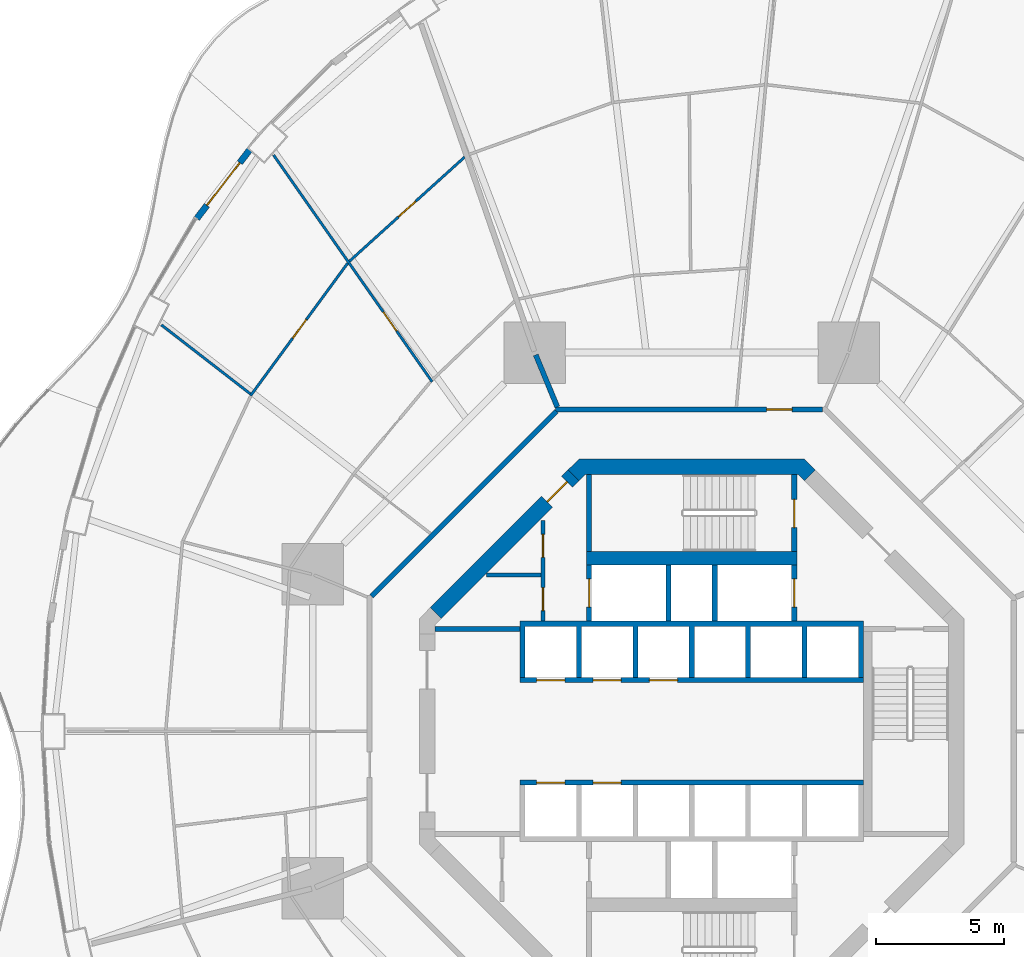
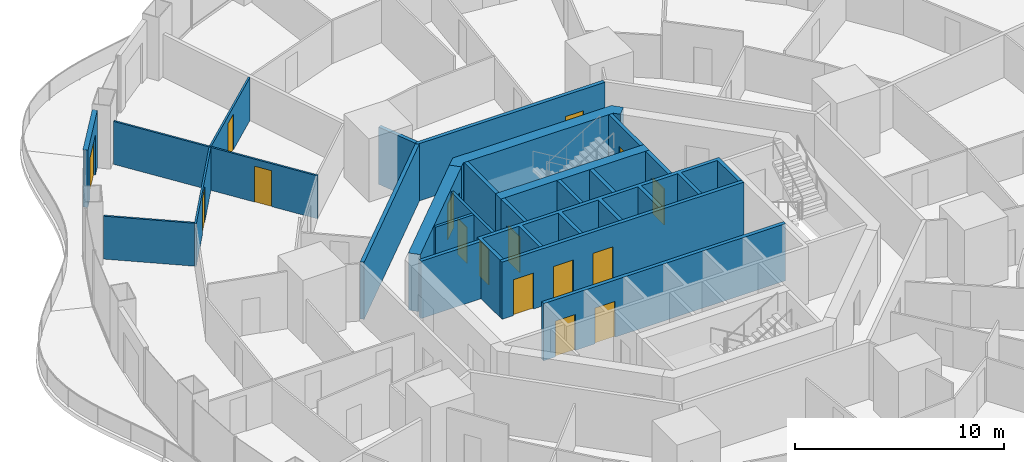
# One storey, part 17 of 22: 23 walls, 16 doors, 16 openings.
"""IFC4 building model written with IfcOpenShell, lengths in metres."""

from ifc_helpers import new_model, si_unit, direction, frame, frame_2d, origin, place, context, subcontext, project, spatial, polyline, rectangle, outline, extrude, material, layer, layer_set, type_object, element, fill, save


model = new_model("IFC4")

# Units and contexts
model_context = context("Model", 3, precision=1e-05, world=origin(), true_north=direction((0.0, 1.0)))
body_context = subcontext(model_context, "Body", "Model", "MODEL_VIEW")
ifc_project = project(units=[si_unit("LENGTHUNIT", "METRE"), si_unit("AREAUNIT", "SQUARE_METRE"), si_unit("VOLUMEUNIT", "CUBIC_METRE"), si_unit("PLANEANGLEUNIT", "RADIAN"), si_unit("MASSUNIT", "GRAM", prefix="KILO")], contexts=[model_context])

# Site, building, storey
site_placement = place(None, origin())
site = spatial("IfcSite", under=ifc_project, at=site_placement, CompositionType="ELEMENT")
building_placement = place(site_placement, origin())
building = spatial("IfcBuilding", under=site, at=building_placement, Name="Nagisa Residences", CompositionType="ELEMENT")
storey_placement = place(building_placement, frame((0.0, 0.0, 64.0)))
storey = spatial("IfcBuildingStorey", under=building, at=storey_placement, Name="L15", CompositionType="ELEMENT", Elevation=64.0)

# Wall
ifc_material_1 = material(Name="Gypsum board on steel studs", Category="steel")
ifc_layer_1 = layer(ifc_material_1, 0.199951171875)
ifc_layer_set_1 = layer_set([ifc_layer_1], Name="Apartment compartment wall EI60 200")
wall_type_1 = type_object("IfcWallType", Name="Apartment compartment wall EI60 200", PredefinedType="PARTITIONING", material=ifc_layer_set_1)
wall_1_placement = place(storey_placement, frame((-5.24267578125, 12.6572265625, 0.0), z_axis=(0.0, 0.0, 1.0), x_axis=(-0.382668627144, 0.923885664896, 0.0)))
element("IfcWall", 1, at=wall_1_placement, inside=storey, type_object=wall_type_1, Name="wall:L15:u02", PredefinedType="PARTITIONING", context=body_context, shape_type="SweptSolid", body=[
    extrude(rectangle(XDim=2.200439453125, YDim=0.199951171875, at=frame_2d((1.10009765625, 0.0))), origin(), (0.0, 0.0, 1.0), 3.35009765625),
])

# Wall, opening, door
ifc_material_2 = material(Name="Gypsum board on steel studs", Category="steel")
ifc_layer_2 = layer(ifc_material_2, 0.199951171875)
ifc_layer_set_2 = layer_set([ifc_layer_2], Name="Apartment entry wall EI60 200")
wall_type_2 = type_object("IfcWallType", Name="Apartment entry wall EI60 200", PredefinedType="PARTITIONING", material=ifc_layer_set_2)
wall_2_placement = place(storey_placement, frame((5.1044921875, 12.564697265625, 0.0), z_axis=(0.0, 0.0, 1.0), x_axis=(-1.0, 0.0, 0.0)))
wall_2 = element("IfcWall", 2, at=wall_2_placement, inside=storey, type_object=wall_type_2, Name="wall:L15:u08", PredefinedType="PARTITIONING", context=body_context, shape_type="SweptSolid", body=[
    extrude(rectangle(XDim=10.408935546875, YDim=0.199951171875, at=frame_2d((5.20458984375, 0.0))), origin(), (0.0, 0.0, 1.0), 3.35009765625),
])
opening_1_placement = place(wall_2_placement, frame((1.184814453125, 0.0, 0.0)))
opening_1 = element("IfcOpeningElement", 3, at=opening_1_placement, cuts=wall_2, Name="Opening L15-U27", PredefinedType="OPENING", context=body_context, shape_type="SweptSolid", body=[
    extrude(rectangle(XDim=1.0, YDim=2.10009765625, at=frame_2d((0.5, 1.050048828125))), frame((0.0, 0.10986328125, 0.0), z_axis=(0.0, -1.0, 0.0), x_axis=(1.0, 0.0, 0.0)), (0.0, 0.0, 1.0), 0.219970703125),
])
ifc_material_3 = material(Name="Timber fire door set", Category="wood")
door_type_1 = type_object("IfcDoorType", Name="Apartment entry door FD30S 1000x2100", OperationType="NOTDEFINED", PredefinedType="DOOR", material=ifc_material_3)
door_1_placement = place(opening_1_placement, frame((1.0, 0.0, 0.0), x_axis=(-1.0, 0.0, 0.0)))
door_1 = element("IfcDoor", 4, at=door_1_placement, inside=storey, type_object=door_type_1, Name="Entry door, Apartment 15B", OperationType="SINGLE_SWING_RIGHT", OverallHeight=2.10009765625, OverallWidth=1.0, PredefinedType="DOOR", context=body_context, shape_type="SweptSolid", body=[
    extrude(rectangle(XDim=1.0, YDim=2.10009765625, at=frame_2d((0.5, 1.050048828125))), frame((0.0, 0.02490234375, 0.0), z_axis=(0.0, -1.0, 0.0), x_axis=(1.0, 0.0, 0.0)), (0.0, 0.0, 1.0), 0.050048828125),
])
fill(opening_1, door_1)

# Wall
wall_3_placement = place(storey_placement, frame((-5.275146484375, 12.494140625, 0.0), z_axis=(0.0, 0.0, 1.0), x_axis=(-0.707106781187, -0.707106781187, 0.0)))
element("IfcWall", 5, at=wall_3_placement, inside=storey, type_object=wall_type_2, Name="wall:L15:u09", PredefinedType="PARTITIONING", context=body_context, shape_type="SweptSolid", body=[
    extrude(rectangle(XDim=10.209228515625, YDim=0.199951171875, at=frame_2d((5.1044921875, 0.0))), origin(), (0.0, 0.0, 1.0), 3.35009765625),
])

# Wall, opening, door
ifc_material_4 = material(Name="Gypsum board on steel studs", Category="steel")
ifc_layer_3 = layer(ifc_material_4, 0.10009765625)
ifc_layer_set_3 = layer_set([ifc_layer_3], Name="Apartment partition 100")
wall_type_3 = type_object("IfcWallType", Name="Apartment partition 100", PredefinedType="PARTITIONING", material=ifc_layer_set_3)
wall_4_placement = place(storey_placement, frame((-8.860595703125, 22.4072265625, 0.0), z_axis=(0.0, 0.0, 1.0), x_axis=(-0.741713303551, -0.670717060567, 0.0)))
wall_4 = element("IfcWall", 6, at=wall_4_placement, inside=storey, type_object=wall_type_3, Name="wall:L15:u42", PredefinedType="PARTITIONING", context=body_context, shape_type="SweptSolid", body=[
    extrude(rectangle(XDim=6.05908203125, YDim=0.10009765625, at=frame_2d((3.029541015625, 0.0))), origin(), (0.0, 0.0, 1.0), 2.514892578125),
])
opening_2_placement = place(wall_4_placement, frame((2.57958984375, 0.0, 0.0)))
opening_2 = element("IfcOpeningElement", 7, at=opening_2_placement, cuts=wall_4, Name="Opening L15-U54", PredefinedType="OPENING", context=body_context, shape_type="SweptSolid", body=[
    extrude(rectangle(XDim=0.89990234375, YDim=2.10009765625, at=frame_2d((0.449951171875, 1.050048828125))), frame((0.0, 0.06005859375, 0.0), z_axis=(0.0, -1.0, 0.0), x_axis=(1.0, 0.0, 0.0)), (0.0, 0.0, 1.0), 0.1201171875),
])
ifc_material_5 = material(Name="Timber door set", Category="wood")
door_type_2 = type_object("IfcDoorType", Name="Apartment door 900x2100", OperationType="NOTDEFINED", PredefinedType="DOOR", material=ifc_material_5)
door_2_placement = place(opening_2_placement, frame((0.89990234375, 0.0, 0.0), x_axis=(-1.0, 0.0, 0.0)))
door_2 = element("IfcDoor", 8, at=door_2_placement, inside=storey, type_object=door_type_2, Name="Door to living room, Apartment 15C", OperationType="SINGLE_SWING_LEFT", OverallHeight=2.10009765625, OverallWidth=0.89990234375, PredefinedType="DOOR", context=body_context, shape_type="SweptSolid", body=[
    extrude(rectangle(XDim=0.89990234375, YDim=2.10009765625, at=frame_2d((0.449951171875, 1.050048828125))), frame((0.0, 0.02490234375, 0.0), z_axis=(0.0, -1.0, 0.0), x_axis=(1.0, 0.0, 0.0)), (0.0, 0.0, 1.0), 0.050048828125),
])
fill(opening_2, door_2)

wall_5_placement = place(storey_placement, frame((-10.126220703125, 13.640625, 0.0), z_axis=(0.0, 0.0, 1.0), x_axis=(-0.57313289907, 0.819462433552, 0.0)))
wall_5 = element("IfcWall", 9, at=wall_5_placement, inside=storey, type_object=wall_type_3, Name="wall:L15:u43", PredefinedType="PARTITIONING", context=body_context, shape_type="SweptSolid", body=[
    extrude(rectangle(XDim=10.794189453125, YDim=0.10009765625, at=frame_2d((5.39697265625, 0.0))), origin(), (0.0, 0.0, 1.0), 2.514892578125),
])
opening_3_placement = place(wall_5_placement, frame((2.423828125, 0.0, 0.0)))
opening_3 = element("IfcOpeningElement", 10, at=opening_3_placement, cuts=wall_5, Name="Opening L15-U53", PredefinedType="OPENING", context=body_context, shape_type="SweptSolid", body=[
    extrude(rectangle(XDim=0.89990234375, YDim=2.10009765625, at=frame_2d((0.449951171875, 1.050048828125))), frame((0.0, 0.06005859375, 0.0), z_axis=(0.0, -1.0, 0.0), x_axis=(1.0, 0.0, 0.0)), (0.0, 0.0, 1.0), 0.1201171875),
])
door_3_placement = place(opening_3_placement, frame((0.89990234375, 0.0, 0.0), x_axis=(-1.0, 0.0, 0.0)))
door_3 = element("IfcDoor", 11, at=door_3_placement, inside=storey, type_object=door_type_2, Name="Door to kitchen, Apartment 15C", OperationType="SINGLE_SWING_RIGHT", OverallHeight=2.10009765625, OverallWidth=0.89990234375, PredefinedType="DOOR", context=body_context, shape_type="SweptSolid", body=[
    extrude(rectangle(XDim=0.89990234375, YDim=2.10009765625, at=frame_2d((0.449951171875, 1.050048828125))), frame((0.0, 0.02490234375, 0.0), z_axis=(0.0, -1.0, 0.0), x_axis=(1.0, 0.0, 0.0)), (0.0, 0.0, 1.0), 0.050048828125),
])
fill(opening_3, door_3)

wall_6_placement = place(storey_placement, frame((-13.42138671875, 18.269287109375, 0.0), z_axis=(0.0, 0.0, 1.0), x_axis=(-0.591206785834, -0.806520016109, 0.0)))
wall_6 = element("IfcWall", 12, at=wall_6_placement, inside=storey, type_object=wall_type_3, Name="wall:L15:u45", PredefinedType="PARTITIONING", context=body_context, shape_type="SweptSolid", body=[
    extrude(rectangle(XDim=6.409912109375, YDim=0.10009765625, at=frame_2d((3.205078125, 0.0))), origin(), (0.0, 0.0, 1.0), 2.514892578125),
])
opening_4_placement = place(wall_6_placement, frame((2.72998046875, 0.0, 0.0)))
opening_4 = element("IfcOpeningElement", 13, at=opening_4_placement, cuts=wall_6, Name="Opening L15-U50", PredefinedType="OPENING", context=body_context, shape_type="SweptSolid", body=[
    extrude(rectangle(XDim=0.89990234375, YDim=2.10009765625, at=frame_2d((0.449951171875, 1.050048828125))), frame((0.0, 0.06005859375, 0.0), z_axis=(0.0, -1.0, 0.0), x_axis=(1.0, 0.0, 0.0)), (0.0, 0.0, 1.0), 0.1201171875),
])
door_4_placement = place(opening_4_placement, frame((0.89990234375, 0.0, 0.0), x_axis=(-1.0, 0.0, 0.0)))
door_4 = element("IfcDoor", 14, at=door_4_placement, inside=storey, type_object=door_type_2, Name="Door to master bedroom, Apartment 15C", OperationType="SINGLE_SWING_LEFT", OverallHeight=2.10009765625, OverallWidth=0.89990234375, PredefinedType="DOOR", context=body_context, shape_type="SweptSolid", body=[
    extrude(rectangle(XDim=0.89990234375, YDim=2.10009765625, at=frame_2d((0.449951171875, 1.050048828125))), frame((0.0, 0.02490234375, 0.0), z_axis=(0.0, -1.0, 0.0), x_axis=(1.0, 0.0, 0.0)), (0.0, 0.0, 1.0), 0.050048828125),
])
fill(opening_4, door_4)

# Wall
wall_7_placement = place(storey_placement, frame((-17.220947265625, 13.170654296875, 0.0), z_axis=(0.0, 0.0, 1.0), x_axis=(-0.790258254068, 0.612773932113, 0.0)))
element("IfcWall", 15, at=wall_7_placement, inside=storey, type_object=wall_type_3, Name="wall:L15:u48", PredefinedType="PARTITIONING", context=body_context, shape_type="SweptSolid", body=[
    extrude(rectangle(XDim=4.39208984375, YDim=0.10009765625, at=frame_2d((2.196044921875, 0.0))), origin(), (0.0, 0.0, 1.0), 2.514892578125),
])

# Wall, opening, door
ifc_material_6 = material(Name="Precast concrete C40/50", Category="concrete")
ifc_layer_4 = layer(ifc_material_6, 0.25)
ifc_layer_set_4 = layer_set([ifc_layer_4], Name="BALCONY DOOR WALL 250")
wall_type_4 = type_object("IfcWallType", Name="BALCONY DOOR WALL 250", PredefinedType="SOLIDWALL", material=ifc_layer_set_4)
wall_8_placement = place(storey_placement, frame((-19.308349609375, 20.012939453125, 0.0), z_axis=(0.0, 0.0, 1.0), x_axis=(0.610457147657, 0.792049285635, 0.0)))
wall_8 = element("IfcWall", 16, at=wall_8_placement, inside=storey, type_object=wall_type_4, Name="wall:L15:bay18", PredefinedType="SOLIDWALL", context=body_context, shape_type="SweptSolid", body=[
    extrude(rectangle(XDim=3.3974609375, YDim=0.25, at=frame_2d((1.69873046875, 0.0))), origin(), (0.0, 0.0, 1.0), 3.35009765625),
])
opening_5_placement = place(wall_8_placement, frame((0.648681640625, 0.0, 0.0)))
opening_5 = element("IfcOpeningElement", 17, at=opening_5_placement, cuts=wall_8, Name="Opening BD-L15-07", PredefinedType="OPENING", context=body_context, shape_type="SweptSolid", body=[
    extrude(rectangle(XDim=2.10009765625, YDim=2.39990234375, at=frame_2d((1.050048828125, 1.199951171875))), frame((0.0, 0.135009765625, 0.0), z_axis=(0.0, -1.0, 0.0), x_axis=(1.0, 0.0, 0.0)), (0.0, 0.0, 1.0), 0.27001953125),
])
ifc_material_7 = material(Name="Aluminium and clear glass", Category="aluminium")
door_type_3 = type_object("IfcDoorType", Name="BALCONY SLIDING DOOR 2100x2400", OperationType="SLIDING_TO_LEFT", PredefinedType="DOOR", material=ifc_material_7)
door_5_placement = place(opening_5_placement, origin())
door_5 = element("IfcDoor", 18, at=door_5_placement, inside=storey, type_object=door_type_3, Name="door:L15:bay18", OperationType="SLIDING_TO_LEFT", OverallHeight=2.39990234375, OverallWidth=2.10009765625, PredefinedType="DOOR", context=body_context, shape_type="SweptSolid", body=[
    extrude(rectangle(XDim=2.10009765625, YDim=2.39990234375, at=frame_2d((1.050048828125, 1.199951171875))), frame((0.0, 0.02490234375, 0.0), z_axis=(0.0, -1.0, 0.0), x_axis=(1.0, 0.0, 0.0)), (0.0, 0.0, 1.0), 0.050048828125),
])
fill(opening_5, door_5)

# Wall, openings, doors
ifc_material_8 = material(Name="Gypsum board on steel studs", Category="steel")
ifc_layer_5 = layer(ifc_material_8, 0.14990234375)
ifc_layer_set_5 = layer_set([ifc_layer_5], Name="Core partition 150")
wall_type_5 = type_object("IfcWallType", Name="Core partition 150", PredefinedType="PARTITIONING", material=ifc_layer_set_5)
wall_9_placement = place(storey_placement, frame((-5.800048828125, 4.300048828125, 0.0), z_axis=(0.0, 0.0, 1.0), x_axis=(0.0, 1.0, 0.0)))
wall_9 = element("IfcWall", 19, at=wall_9_placement, inside=storey, type_object=wall_type_5, Name="wall:L15:NWp", PredefinedType="PARTITIONING", context=body_context, shape_type="SweptSolid", body=[
    extrude(rectangle(XDim=3.927001953125, YDim=0.14990234375, at=frame_2d((1.96337890625, 0.0))), origin(), (0.0, 0.0, 1.0), 3.35009765625),
])
opening_6_placement = place(wall_9_placement, frame((0.41259765625, 0.0, 0.0)))
opening_6 = element("IfcOpeningElement", 20, at=opening_6_placement, cuts=wall_9, Name="Opening L15-C12", PredefinedType="OPENING", context=body_context, shape_type="SweptSolid", body=[
    extrude(rectangle(XDim=0.89990234375, YDim=2.10009765625, at=frame_2d((0.449951171875, 1.050048828125))), frame((0.0, 0.0849609375, 0.0), z_axis=(0.0, -1.0, 0.0), x_axis=(1.0, 0.0, 0.0)), (0.0, 0.0, 1.0), 0.169921875),
])
opening_7_placement = place(wall_9_placement, frame((2.488525390625, 0.0, 0.0)))
opening_7 = element("IfcOpeningElement", 21, at=opening_7_placement, cuts=wall_9, Name="Opening L15-C13", PredefinedType="OPENING", context=body_context, shape_type="SweptSolid", body=[
    extrude(rectangle(XDim=0.89990234375, YDim=2.10009765625, at=frame_2d((0.449951171875, 1.050048828125))), frame((0.0, 0.0849609375, 0.0), z_axis=(0.0, -1.0, 0.0), x_axis=(1.0, 0.0, 0.0)), (0.0, 0.0, 1.0), 0.169921875),
])
ifc_material_9 = material(Name="Steel fire door", Category="steel")
door_type_4 = type_object("IfcDoorType", Name="Fire door EI30 900x2100 single swing", OperationType="NOTDEFINED", PredefinedType="DOOR", material=ifc_material_9)
door_6_placement = place(opening_6_placement, origin())
door_6 = element("IfcDoor", 22, at=door_6_placement, inside=storey, type_object=door_type_4, Name="Staff WC door L15", OperationType="SINGLE_SWING_LEFT", OverallHeight=2.10009765625, OverallWidth=0.89990234375, PredefinedType="DOOR", context=body_context, shape_type="SweptSolid", body=[
    extrude(rectangle(XDim=0.89990234375, YDim=2.10009765625, at=frame_2d((0.449951171875, 1.050048828125))), frame((0.0, 0.02490234375, 0.0), z_axis=(0.0, -1.0, 0.0), x_axis=(1.0, 0.0, 0.0)), (0.0, 0.0, 1.0), 0.050048828125),
])
fill(opening_6, door_6)
door_7_placement = place(opening_7_placement, origin())
door_7 = element("IfcDoor", 23, at=door_7_placement, inside=storey, type_object=door_type_4, Name="Janitor door L15", OperationType="SINGLE_SWING_LEFT", OverallHeight=2.10009765625, OverallWidth=0.89990234375, PredefinedType="DOOR", context=body_context, shape_type="SweptSolid", body=[
    extrude(rectangle(XDim=0.89990234375, YDim=2.10009765625, at=frame_2d((0.449951171875, 1.050048828125))), frame((0.0, 0.02490234375, 0.0), z_axis=(0.0, -1.0, 0.0), x_axis=(1.0, 0.0, 0.0)), (0.0, 0.0, 1.0), 0.050048828125),
])
fill(opening_7, door_7)

# Walls
wall_10_placement = place(storey_placement, frame((-8.0009765625, 6.10009765625, 0.0), z_axis=(0.0, 0.0, 1.0), x_axis=(1.0, 0.0, 0.0)))
element("IfcWall", 24, at=wall_10_placement, inside=storey, type_object=wall_type_5, Name="wall:L15:NWq", PredefinedType="PARTITIONING", context=body_context, shape_type="SweptSolid", body=[
    extrude(rectangle(XDim=2.1259765625, YDim=0.14990234375, at=frame_2d((1.06298828125, 0.0))), origin(), (0.0, 0.0, 1.0), 3.35009765625),
])
ifc_material_10 = material(Name="Gypsum board on steel studs", Category="steel")
ifc_layer_6 = layer(ifc_material_10, 0.199951171875)
ifc_layer_set_6 = layer_set([ifc_layer_6], Name="Core partition 200")
wall_type_6 = type_object("IfcWallType", Name="Core partition 200", PredefinedType="PARTITIONING", material=ifc_layer_set_6)
wall_11_placement = place(storey_placement, frame((-10.024658203125, 4.0, 0.0), z_axis=(0.0, 0.0, 1.0), x_axis=(1.0, 0.0, 0.0)))
element("IfcWall", 25, at=wall_11_placement, inside=storey, type_object=wall_type_6, Name="wall:L15:PNW", PredefinedType="PARTITIONING", context=body_context, shape_type="SweptSolid", body=[
    extrude(rectangle(XDim=3.32470703125, YDim=0.199951171875, at=frame_2d((1.662353515625, 0.0))), origin(), (0.0, 0.0, 1.0), 3.35009765625),
])

# Wall, opening, door
ifc_material_11 = material(Name="Concrete C60", Category="concrete")
ifc_layer_7 = layer(ifc_material_11, 0.60009765625)
ifc_layer_set_7 = layer_set([ifc_layer_7], Name="Core shear wall 600")
wall_type_7 = type_object("IfcWallType", Name="Core shear wall 600", PredefinedType="SHEAR", material=ifc_layer_set_7)
wall_12_placement = place(storey_placement, frame((-4.613037109375, 9.98828125, 0.0), z_axis=(0.0, 0.0, 1.0), x_axis=(-0.707106781187, -0.707106781187, 0.0)))
wall_12 = element("IfcWall", 26, at=wall_12_placement, inside=storey, type_object=wall_type_7, Name="wall:L15:core:flat3", PredefinedType="SHEAR", context=body_context, shape_type="SweptSolid", body=[
    extrude(rectangle(XDim=7.601806640625, YDim=0.60009765625, at=frame_2d((3.80078125, 0.0))), origin(), (0.0, 0.0, 1.0), 3.35009765625),
])
opening_8_placement = place(wall_12_placement, frame((0.350830078125, 0.0, 0.0)))
opening_8 = element("IfcOpeningElement", 27, at=opening_8_placement, cuts=wall_12, Name="Opening L15-C20", PredefinedType="OPENING", context=body_context, shape_type="SweptSolid", body=[
    extrude(rectangle(XDim=1.10009765625, YDim=2.10009765625, at=frame_2d((0.550048828125, 1.050048828125))), frame((0.0, 0.31005859375, 0.0), z_axis=(0.0, -1.0, 0.0), x_axis=(1.0, 0.0, 0.0)), (0.0, 0.0, 1.0), 0.6201171875),
])
ifc_material_12 = material(Name="Steel fire door", Category="steel")
door_type_5 = type_object("IfcDoorType", Name="Fire door EI60 1100x2100 single swing", OperationType="NOTDEFINED", PredefinedType="DOOR", material=ifc_material_12)
door_8_placement = place(opening_8_placement, origin())
door_8 = element("IfcDoor", 28, at=door_8_placement, inside=storey, type_object=door_type_5, Name="Service lobby door L15", OperationType="SINGLE_SWING_RIGHT", OverallHeight=2.10009765625, OverallWidth=1.10009765625, PredefinedType="DOOR", context=body_context, shape_type="SweptSolid", body=[
    extrude(rectangle(XDim=1.10009765625, YDim=2.10009765625, at=frame_2d((0.550048828125, 1.050048828125))), frame((0.0, 0.02490234375, 0.0), z_axis=(0.0, -1.0, 0.0), x_axis=(1.0, 0.0, 0.0)), (0.0, 0.0, 1.0), 0.050048828125),
])
fill(opening_8, door_8)

# Wall
wall_13_placement = place(storey_placement, origin())
element("IfcWall", 29, at=wall_13_placement, inside=storey, type_object=wall_type_7, Name="wall:L15:core:flat2", PredefinedType="SHEAR", context=body_context, shape_type="SweptSolid", body=[
    extrude(outline(polyline([(-4.15234375, 10.024658203125), (-4.40087890625, 9.776123046875), (-4.8251953125, 10.200439453125), (-4.40087890625, 10.62451171875), (4.40087890625, 10.62451171875), (4.8251953125, 10.200439453125), (4.40087890625, 9.776123046875), (4.15234375, 10.024658203125), (-4.15234375, 10.024658203125)])), origin(), (0.0, 0.0, 1.0), 3.35009765625),
])

# Wall, opening, door
ifc_material_13 = material(Name="Concrete C60", Category="concrete")
ifc_layer_8 = layer(ifc_material_13, 0.199951171875)
ifc_layer_set_8 = layer_set([ifc_layer_8], Name="Lift shaft wall 200")
wall_type_8 = type_object("IfcWallType", Name="Lift shaft wall 200", PredefinedType="SOLIDWALL", material=ifc_layer_set_8)
wall_14_placement = place(storey_placement, frame((4.0, 4.300048828125, 0.0), z_axis=(0.0, 0.0, 1.0), x_axis=(0.0, 1.0, 0.0)))
wall_14 = element("IfcWall", 30, at=wall_14_placement, inside=storey, type_object=wall_type_8, Name="wall:L15:Nb3", PredefinedType="SOLIDWALL", context=body_context, shape_type="SweptSolid", body=[
    extrude(rectangle(XDim=2.199951171875, YDim=0.199951171875, at=frame_2d((1.10009765625, 0.0))), origin(), (0.0, 0.0, 1.0), 3.35009765625),
])
opening_9_placement = place(wall_14_placement, frame((0.550048828125, 0.0, 0.0)))
opening_9 = element("IfcOpeningElement", 31, at=opening_9_placement, cuts=wall_14, Name="Opening L15-C06", PredefinedType="OPENING", context=body_context, shape_type="SweptSolid", body=[
    extrude(rectangle(XDim=1.10009765625, YDim=2.10009765625, at=frame_2d((0.550048828125, 1.050048828125))), frame((0.0, 0.10986328125, 0.0), z_axis=(0.0, -1.0, 0.0), x_axis=(1.0, 0.0, 0.0)), (0.0, 0.0, 1.0), 0.219970703125),
])
ifc_material_14 = material(Name="Stainless steel", Category="steel")
door_type_6 = type_object("IfcDoorType", Name="Lift landing door 1100x2100", OperationType="DOUBLE_DOOR_SLIDING", PredefinedType="DOOR", material=ifc_material_14)
door_9_placement = place(opening_9_placement, origin())
door_9 = element("IfcDoor", 32, at=door_9_placement, inside=storey, type_object=door_type_6, Name="Landing door FL1 L15", OperationType="DOUBLE_DOOR_SLIDING", OverallHeight=2.10009765625, OverallWidth=1.10009765625, PredefinedType="DOOR", context=body_context, shape_type="SweptSolid", body=[
    extrude(rectangle(XDim=1.10009765625, YDim=2.10009765625, at=frame_2d((0.550048828125, 1.050048828125))), frame((0.0, 0.02490234375, 0.0), z_axis=(0.0, -1.0, 0.0), x_axis=(1.0, 0.0, 0.0)), (0.0, 0.0, 1.0), 0.050048828125),
])
fill(opening_9, door_9)

wall_15_placement = place(storey_placement, frame((-4.0, 4.300048828125, 0.0), z_axis=(0.0, 0.0, 1.0), x_axis=(0.0, 1.0, 0.0)))
wall_15 = element("IfcWall", 33, at=wall_15_placement, inside=storey, type_object=wall_type_8, Name="wall:L15:Nb4", PredefinedType="SOLIDWALL", context=body_context, shape_type="SweptSolid", body=[
    extrude(rectangle(XDim=2.199951171875, YDim=0.199951171875, at=frame_2d((1.10009765625, 0.0))), origin(), (0.0, 0.0, 1.0), 3.35009765625),
])
opening_10_placement = place(wall_15_placement, frame((0.550048828125, 0.0, 0.0)))
opening_10 = element("IfcOpeningElement", 34, at=opening_10_placement, cuts=wall_15, Name="Opening L15-C08", PredefinedType="OPENING", context=body_context, shape_type="SweptSolid", body=[
    extrude(rectangle(XDim=1.10009765625, YDim=2.10009765625, at=frame_2d((0.550048828125, 1.050048828125))), frame((0.0, 0.10986328125, 0.0), z_axis=(0.0, -1.0, 0.0), x_axis=(1.0, 0.0, 0.0)), (0.0, 0.0, 1.0), 0.219970703125),
])
door_10_placement = place(opening_10_placement, origin())
door_10 = element("IfcDoor", 35, at=door_10_placement, inside=storey, type_object=door_type_6, Name="Landing door SV L15", OperationType="DOUBLE_DOOR_SLIDING", OverallHeight=2.10009765625, OverallWidth=1.10009765625, PredefinedType="DOOR", context=body_context, shape_type="SweptSolid", body=[
    extrude(rectangle(XDim=1.10009765625, YDim=2.10009765625, at=frame_2d((0.550048828125, 1.050048828125))), frame((0.0, 0.02490234375, 0.0), z_axis=(0.0, -1.0, 0.0), x_axis=(1.0, 0.0, 0.0)), (0.0, 0.0, 1.0), 0.050048828125),
])
fill(opening_10, door_10)

# Wall, openings, doors
wall_16_placement = place(storey_placement, frame((-6.699951171875, 2.0, 0.0), z_axis=(0.0, 0.0, 1.0), x_axis=(1.0, 0.0, 0.0)))
wall_16 = element("IfcWall", 36, at=wall_16_placement, inside=storey, type_object=wall_type_8, Name="wall:L15:Nfront", PredefinedType="SOLIDWALL", context=body_context, shape_type="SweptSolid", body=[
    extrude(rectangle(XDim=13.39990234375, YDim=0.199951171875, at=frame_2d((6.699951171875, 0.0))), origin(), (0.0, 0.0, 1.0), 3.35009765625),
])
opening_11_placement = place(wall_16_placement, frame((0.64990234375, 0.0, 0.0)))
opening_11 = element("IfcOpeningElement", 37, at=opening_11_placement, cuts=wall_16, Name="Opening L15-C01", PredefinedType="OPENING", context=body_context, shape_type="SweptSolid", body=[
    extrude(rectangle(XDim=1.10009765625, YDim=2.10009765625, at=frame_2d((0.550048828125, 1.050048828125))), frame((0.0, 0.10986328125, 0.0), z_axis=(0.0, -1.0, 0.0), x_axis=(1.0, 0.0, 0.0)), (0.0, 0.0, 1.0), 0.219970703125),
])
opening_12_placement = place(wall_16_placement, frame((2.85009765625, 0.0, 0.0)))
opening_12 = element("IfcOpeningElement", 38, at=opening_12_placement, cuts=wall_16, Name="Opening L15-C02", PredefinedType="OPENING", context=body_context, shape_type="SweptSolid", body=[
    extrude(rectangle(XDim=1.10009765625, YDim=2.10009765625, at=frame_2d((0.550048828125, 1.050048828125))), frame((0.0, 0.10986328125, 0.0), z_axis=(0.0, -1.0, 0.0), x_axis=(1.0, 0.0, 0.0)), (0.0, 0.0, 1.0), 0.219970703125),
])
opening_13_placement = place(wall_16_placement, frame((5.050048828125, 0.0, 0.0)))
opening_13 = element("IfcOpeningElement", 39, at=opening_13_placement, cuts=wall_16, Name="Opening L15-C03", PredefinedType="OPENING", context=body_context, shape_type="SweptSolid", body=[
    extrude(rectangle(XDim=1.10009765625, YDim=2.10009765625, at=frame_2d((0.550048828125, 1.050048828125))), frame((0.0, 0.10986328125, 0.0), z_axis=(0.0, -1.0, 0.0), x_axis=(1.0, 0.0, 0.0)), (0.0, 0.0, 1.0), 0.219970703125),
])
door_11_placement = place(opening_11_placement, origin())
door_11 = element("IfcDoor", 40, at=door_11_placement, inside=storey, type_object=door_type_6, Name="Landing door A1 L15", OperationType="DOUBLE_DOOR_SLIDING", OverallHeight=2.10009765625, OverallWidth=1.10009765625, PredefinedType="DOOR", context=body_context, shape_type="SweptSolid", body=[
    extrude(rectangle(XDim=1.10009765625, YDim=2.10009765625, at=frame_2d((0.550048828125, 1.050048828125))), frame((0.0, 0.02490234375, 0.0), z_axis=(0.0, -1.0, 0.0), x_axis=(1.0, 0.0, 0.0)), (0.0, 0.0, 1.0), 0.050048828125),
])
fill(opening_11, door_11)
door_12_placement = place(opening_12_placement, origin())
door_12 = element("IfcDoor", 41, at=door_12_placement, inside=storey, type_object=door_type_6, Name="Landing door A2 L15", OperationType="DOUBLE_DOOR_SLIDING", OverallHeight=2.10009765625, OverallWidth=1.10009765625, PredefinedType="DOOR", context=body_context, shape_type="SweptSolid", body=[
    extrude(rectangle(XDim=1.10009765625, YDim=2.10009765625, at=frame_2d((0.550048828125, 1.050048828125))), frame((0.0, 0.02490234375, 0.0), z_axis=(0.0, -1.0, 0.0), x_axis=(1.0, 0.0, 0.0)), (0.0, 0.0, 1.0), 0.050048828125),
])
fill(opening_12, door_12)
door_13_placement = place(opening_13_placement, origin())
door_13 = element("IfcDoor", 42, at=door_13_placement, inside=storey, type_object=door_type_6, Name="Landing door A3 L15", OperationType="DOUBLE_DOOR_SLIDING", OverallHeight=2.10009765625, OverallWidth=1.10009765625, PredefinedType="DOOR", context=body_context, shape_type="SweptSolid", body=[
    extrude(rectangle(XDim=1.10009765625, YDim=2.10009765625, at=frame_2d((0.550048828125, 1.050048828125))), frame((0.0, 0.02490234375, 0.0), z_axis=(0.0, -1.0, 0.0), x_axis=(1.0, 0.0, 0.0)), (0.0, 0.0, 1.0), 0.050048828125),
])
fill(opening_13, door_13)

wall_17_placement = place(storey_placement, frame((-6.699951171875, -2.0, 0.0), z_axis=(0.0, 0.0, 1.0), x_axis=(1.0, 0.0, 0.0)))
wall_17 = element("IfcWall", 43, at=wall_17_placement, inside=storey, type_object=wall_type_8, Name="wall:L15:Sfront", PredefinedType="SOLIDWALL", context=body_context, shape_type="SweptSolid", body=[
    extrude(rectangle(XDim=13.39990234375, YDim=0.199951171875, at=frame_2d((6.699951171875, 0.0))), origin(), (0.0, 0.0, 1.0), 3.35009765625),
])
opening_14_placement = place(wall_17_placement, frame((0.64990234375, 0.0, 0.0)))
opening_14 = element("IfcOpeningElement", 44, at=opening_14_placement, cuts=wall_17, Name="Opening L15-C04", PredefinedType="OPENING", context=body_context, shape_type="SweptSolid", body=[
    extrude(rectangle(XDim=1.10009765625, YDim=2.10009765625, at=frame_2d((0.550048828125, 1.050048828125))), frame((0.0, 0.10986328125, 0.0), z_axis=(0.0, -1.0, 0.0), x_axis=(1.0, 0.0, 0.0)), (0.0, 0.0, 1.0), 0.219970703125),
])
opening_15_placement = place(wall_17_placement, frame((2.85009765625, 0.0, 0.0)))
opening_15 = element("IfcOpeningElement", 45, at=opening_15_placement, cuts=wall_17, Name="Opening L15-C05", PredefinedType="OPENING", context=body_context, shape_type="SweptSolid", body=[
    extrude(rectangle(XDim=1.10009765625, YDim=2.10009765625, at=frame_2d((0.550048828125, 1.050048828125))), frame((0.0, 0.10986328125, 0.0), z_axis=(0.0, -1.0, 0.0), x_axis=(1.0, 0.0, 0.0)), (0.0, 0.0, 1.0), 0.219970703125),
])
door_14_placement = place(opening_14_placement, origin())
door_14 = element("IfcDoor", 46, at=door_14_placement, inside=storey, type_object=door_type_6, Name="Landing door A4 L15", OperationType="DOUBLE_DOOR_SLIDING", OverallHeight=2.10009765625, OverallWidth=1.10009765625, PredefinedType="DOOR", context=body_context, shape_type="SweptSolid", body=[
    extrude(rectangle(XDim=1.10009765625, YDim=2.10009765625, at=frame_2d((0.550048828125, 1.050048828125))), frame((0.0, 0.02490234375, 0.0), z_axis=(0.0, -1.0, 0.0), x_axis=(1.0, 0.0, 0.0)), (0.0, 0.0, 1.0), 0.050048828125),
])
fill(opening_14, door_14)
door_15_placement = place(opening_15_placement, origin())
door_15 = element("IfcDoor", 47, at=door_15_placement, inside=storey, type_object=door_type_6, Name="Landing door A5 L15", OperationType="DOUBLE_DOOR_SLIDING", OverallHeight=2.10009765625, OverallWidth=1.10009765625, PredefinedType="DOOR", context=body_context, shape_type="SweptSolid", body=[
    extrude(rectangle(XDim=1.10009765625, YDim=2.10009765625, at=frame_2d((0.550048828125, 1.050048828125))), frame((0.0, 0.02490234375, 0.0), z_axis=(0.0, -1.0, 0.0), x_axis=(1.0, 0.0, 0.0)), (0.0, 0.0, 1.0), 0.050048828125),
])
fill(opening_15, door_15)

# Walls
for number, where, z_axis, x_axis, name in (
    (48, (-0.89990234375, 4.300048828125, 0.0), (0.0, 0.0, 1.0), (0.0, 1.0, 0.0), "wall:L15:Nb1"),
    (49, (0.89990234375, 4.300048828125, 0.0), (0.0, 0.0, 1.0), (0.0, 1.0, 0.0), "wall:L15:Nb2"),
):
    element("IfcWall", number, at=place(storey_placement, frame(where, z_axis=z_axis, x_axis=x_axis)), inside=storey, type_object=wall_type_8, Name=name, PredefinedType="SOLIDWALL", context=body_context, shape_type="SweptSolid", body=[
        extrude(rectangle(XDim=2.199951171875, YDim=0.199951171875, at=frame_2d((1.10009765625, 0.0))), origin(), (0.0, 0.0, 1.0), 3.35009765625),
    ])
wall_18_placement = place(storey_placement, origin())
element("IfcWall", 50, at=wall_18_placement, inside=storey, type_object=wall_type_8, Name="wall:L15:Nback", PredefinedType="SOLIDWALL", context=body_context, shape_type="SweptSolid", body=[
    extrude(outline(polyline([(-6.5, 2.10009765625), (-6.699951171875, 2.10009765625), (-6.699951171875, 4.300048828125), (6.699951171875, 4.300048828125), (6.699951171875, 2.10009765625), (6.5, 2.10009765625), (6.5, 4.10009765625), (4.5, 4.10009765625), (4.5, 2.10009765625), (4.300048828125, 2.10009765625), (4.300048828125, 4.10009765625), (2.300048828125, 4.10009765625), (2.300048828125, 2.10009765625), (2.10009765625, 2.10009765625), (2.10009765625, 4.10009765625), (0.10009765625, 4.10009765625), (0.10009765625, 2.10009765625), (-0.10009765625, 2.10009765625), (-0.10009765625, 4.10009765625), (-2.10009765625, 4.10009765625), (-2.10009765625, 2.10009765625), (-2.300048828125, 2.10009765625), (-2.300048828125, 4.10009765625), (-4.300048828125, 4.10009765625), (-4.300048828125, 2.10009765625), (-4.5, 2.10009765625), (-4.5, 4.10009765625), (-6.5, 4.10009765625), (-6.5, 2.10009765625)])), origin(), (0.0, 0.0, 1.0), 3.35009765625),
])

# Wall, opening, door
ifc_material_15 = material(Name="Concrete C60", Category="concrete")
ifc_layer_9 = layer(ifc_material_15, 0.199951171875)
ifc_layer_set_9 = layer_set([ifc_layer_9], Name="Stair enclosure wall 200")
wall_type_9 = type_object("IfcWallType", Name="Stair enclosure wall 200", PredefinedType="SOLIDWALL", material=ifc_layer_set_9)
wall_19_placement = place(storey_placement, frame((4.0, 7.024658203125, 0.0), z_axis=(0.0, 0.0, 1.0), x_axis=(0.0, 1.0, 0.0)))
wall_19 = element("IfcWall", 51, at=wall_19_placement, inside=storey, type_object=wall_type_9, Name="wall:L15:SN_e", PredefinedType="SOLIDWALL", context=body_context, shape_type="SweptSolid", body=[
    extrude(rectangle(XDim=3.0, YDim=0.199951171875, at=frame_2d((1.5, 0.0))), origin(), (0.0, 0.0, 1.0), 3.35009765625),
])
opening_16_placement = place(wall_19_placement, frame((0.92529296875, 0.0, 0.0)))
opening_16 = element("IfcOpeningElement", 52, at=opening_16_placement, cuts=wall_19, Name="Opening L15-C10", PredefinedType="OPENING", context=body_context, shape_type="SweptSolid", body=[
    extrude(rectangle(XDim=1.10009765625, YDim=2.10009765625, at=frame_2d((0.550048828125, 1.050048828125))), frame((0.0, 0.10986328125, 0.0), z_axis=(0.0, -1.0, 0.0), x_axis=(1.0, 0.0, 0.0)), (0.0, 0.0, 1.0), 0.219970703125),
])
ifc_material_16 = material(Name="Steel fire door", Category="steel")
door_type_7 = type_object("IfcDoorType", Name="Fire door EI90 1100x2100 single swing", OperationType="NOTDEFINED", PredefinedType="DOOR", material=ifc_material_16)
door_16_placement = place(opening_16_placement, origin())
door_16 = element("IfcDoor", 53, at=door_16_placement, inside=storey, type_object=door_type_7, Name="Stair door ST-N L15", OperationType="SINGLE_SWING_RIGHT", OverallHeight=2.10009765625, OverallWidth=1.10009765625, PredefinedType="DOOR", context=body_context, shape_type="SweptSolid", body=[
    extrude(rectangle(XDim=1.10009765625, YDim=2.10009765625, at=frame_2d((0.550048828125, 1.050048828125))), frame((0.0, 0.02490234375, 0.0), z_axis=(0.0, -1.0, 0.0), x_axis=(1.0, 0.0, 0.0)), (0.0, 0.0, 1.0), 0.050048828125),
])
fill(opening_16, door_16)

# Walls
wall_20_placement = place(storey_placement, origin())
element("IfcWall", 54, at=wall_20_placement, inside=storey, type_object=wall_type_9, Name="wall:L15:SN_w", PredefinedType="SOLIDWALL", context=body_context, shape_type="SweptSolid", body=[
    extrude(outline(polyline([(-3.89990234375, 7.024658203125), (-4.10009765625, 7.024658203125), (-4.10009765625, 10.024658203125), (-3.89990234375, 10.024658203125), (-3.89990234375, 7.024658203125)])), origin(), (0.0, 0.0, 1.0), 3.35009765625),
])
wall_21_placement = place(storey_placement, origin())
element("IfcWall", 55, at=wall_21_placement, inside=storey, type_object=wall_type_9, Name="wall:L15:SN_s", PredefinedType="SOLIDWALL", context=body_context, shape_type="SweptSolid", body=[
    extrude(outline(polyline([(4.10009765625, 6.5), (-4.10009765625, 6.5), (-4.10009765625, 7.024658203125), (4.10009765625, 7.024658203125), (4.10009765625, 6.5)])), origin(), (0.0, 0.0, 1.0), 3.35009765625),
])

save(model, "model.ifc")
